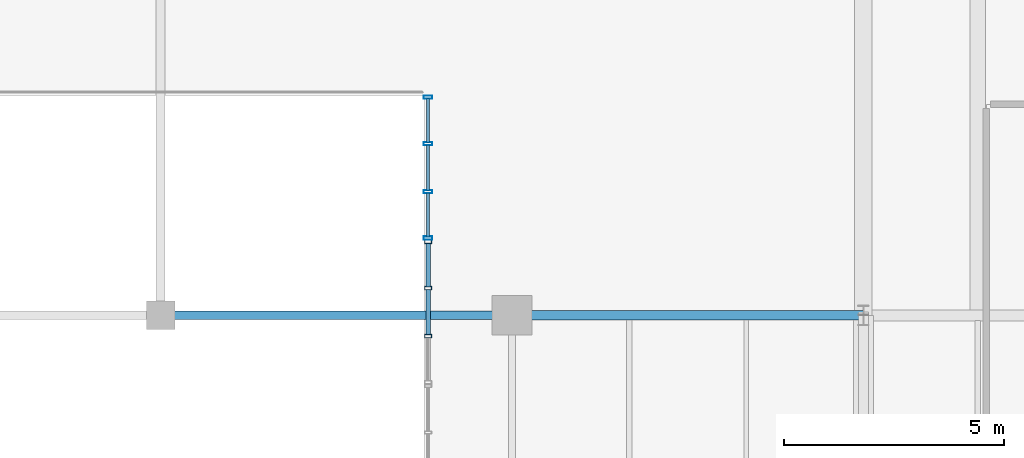
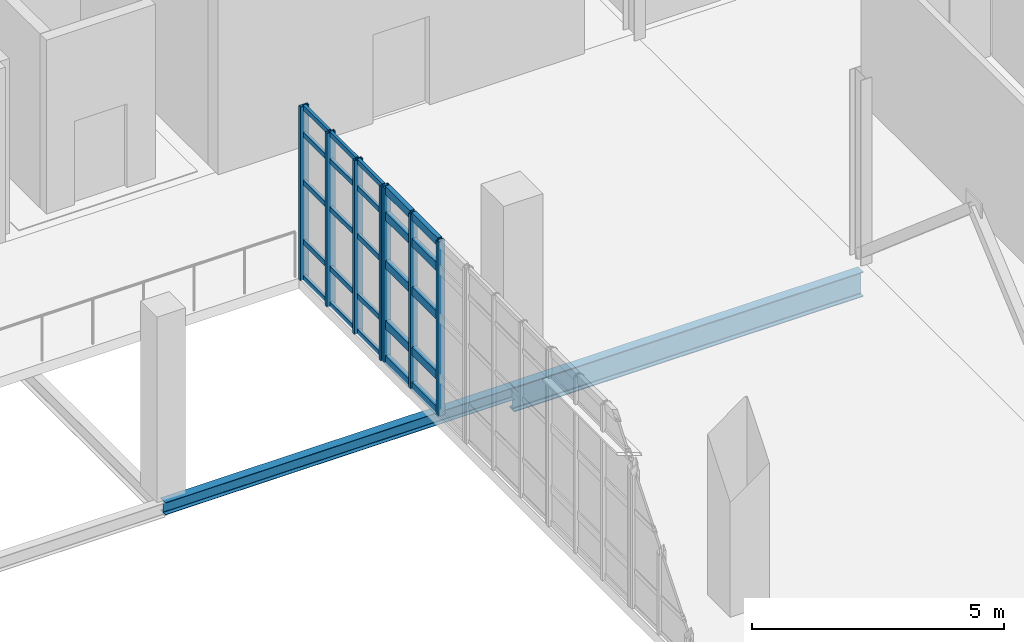
# One storey, part 29 of 85: 32 members, 2 beams, 2 elements without a shape of their own.
"""IFC4 building model written with IfcOpenShell, lengths in metres."""

import ifcopenshell
import ifcopenshell.guid

model = None  # the IFC model being written
_history = None  # IfcOwnerHistory: only IFC2X3 demands one
_inside = {}  # id of a spatial element -> (the spatial element, [elements in it])
_under = {}  # id of a project, library or spatial element -> (it, [spatial elements below it])
_declared = {}  # id of a project -> (the project, [libraries it declares])
_typed = {}  # id of a type object -> (the type object, [elements of that type])
_made_of = {}  # id of a material, layer set ... -> (it, [elements and type objects made of it])


def new_model(schema):
    """Start an empty IFC model of exactly this schema.

    Asked for "IFC4X3", IfcOpenShell would pick the latest addendum, in which some entities
    have other attributes; the version numbers below select the first issue.
    IFC2X3 requires an IfcOwnerHistory on every rooted entity: one is made here for all.
    """
    global model, _history
    if schema == "IFC4X3":
        model = ifcopenshell.file(schema_version=(4, 3, 0, 0))
    else:
        model = ifcopenshell.file(schema=schema)
    _inside.clear()
    _under.clear()
    _declared.clear()
    _typed.clear()
    _made_of.clear()
    _history = None
    if model.schema == "IFC2X3":
        org = make("IfcOrganization", Name="unknown")
        user = make(
            "IfcPersonAndOrganization",
            ThePerson=make("IfcPerson", FamilyName="unknown"),
            TheOrganization=org,
        )
        app = make(
            "IfcApplication",
            ApplicationDeveloper=org,
            Version="unknown",
            ApplicationFullName="unknown",
            ApplicationIdentifier="unknown",
        )
        _history = make(
            "IfcOwnerHistory",
            OwningUser=user,
            OwningApplication=app,
            ChangeAction="ADDED",
            CreationDate=0,
        )
    return model


def make(cls, **values):
    """One entity of the class cls with the attributes given. An attribute that is None is left unset."""
    return model.create_entity(
        cls, **{name: value for name, value in values.items() if value is not None}
    )


def rooted(cls, **values):
    """An entity with a GlobalId (a new one), such as an element, a storey or a relation."""
    return make(cls, GlobalId=ifcopenshell.guid.new(), OwnerHistory=_history, **values)


def si_unit(unit_type, name, prefix=None):
    """IfcSIUnit, for example si_unit("LENGTHUNIT", "METRE", prefix="MILLI")."""
    return make("IfcSIUnit", UnitType=unit_type, Prefix=prefix, Name=name)


def derived_unit(unit_type, elements):
    """IfcDerivedUnit: a product of units, each with its exponent."""
    return make(
        "IfcDerivedUnit",
        Elements=[
            make("IfcDerivedUnitElement", Unit=unit, Exponent=power)
            for unit, power in elements
        ],
        UnitType=unit_type,
    )


def assignment(units):
    """IfcUnitAssignment: the units of a project."""
    return None if units is None else make("IfcUnitAssignment", Units=units)


def point(xyz):
    """IfcCartesianPoint."""
    return None if xyz is None else make("IfcCartesianPoint", Coordinates=xyz)


def direction(xyz):
    """IfcDirection."""
    return None if xyz is None else make("IfcDirection", DirectionRatios=xyz)


def frame(location, z_axis=None, x_axis=None):
    """IfcAxis2Placement3D, a coordinate frame: its origin and axes. An axis left out is left unset."""
    return make(
        "IfcAxis2Placement3D",
        Location=point(location),
        Axis=direction(z_axis),
        RefDirection=direction(x_axis),
    )


def frame_2d(location, x_axis=None):
    """IfcAxis2Placement2D, a coordinate frame in the plane: its origin and x axis."""
    return make(
        "IfcAxis2Placement2D", Location=point(location), RefDirection=direction(x_axis)
    )


def origin():
    """The frame at (0, 0, 0) with its axes left unset."""
    return frame((0.0, 0.0, 0.0))


def origin_2d():
    """The frame at (0, 0) in the plane with its x axis left unset."""
    return frame_2d((0.0, 0.0))


def place(relative_to, where):
    """IfcLocalPlacement: puts the frame where relative to a parent placement (None: the world)."""
    return make(
        "IfcLocalPlacement", PlacementRelTo=relative_to, RelativePlacement=where
    )


def context(
    kind, dimensions, precision=None, world=None, true_north=None, identifier=None
):
    """IfcGeometricRepresentationContext, for example the 3D "Model" context."""
    return make(
        "IfcGeometricRepresentationContext",
        ContextIdentifier=identifier,
        ContextType=kind,
        CoordinateSpaceDimension=dimensions,
        Precision=precision,
        WorldCoordinateSystem=world,
        TrueNorth=true_north,
    )


def subcontext(parent, identifier, kind, view, scale=None):
    """IfcGeometricRepresentationSubContext, for example "Body" below "Model"."""
    return make(
        "IfcGeometricRepresentationSubContext",
        ContextIdentifier=identifier,
        ContextType=kind,
        ParentContext=parent,
        TargetScale=scale,
        TargetView=view,
    )


def project(units=None, contexts=None):
    """IfcProject with its units and contexts."""
    return rooted(
        "IfcProject",
        Name="project",
        RepresentationContexts=contexts,
        UnitsInContext=assignment(units),
    )


def spatial(cls, under=None, at=None, **own):
    """A site, building, storey or space (cls), placed at a placement, below another one or the project."""
    s = rooted(cls, ObjectPlacement=at, **own)
    if under is not None:
        _under.setdefault(under.id(), (under, []))[1].append(s)
    return s


def profile(cls, at=None, kind="AREA", **sizes):
    """A parametric profile (cls). Its sizes go by their IFC names, for example OverallWidth=200.0."""
    return make(cls, ProfileType=kind, Position=at, **sizes)


def hollow_rectangle(**sizes):
    """IfcRectangleHollowProfileDef."""
    return profile("IfcRectangleHollowProfileDef", **sizes)


def i_section(**sizes):
    """IfcIShapeProfileDef."""
    return profile("IfcIShapeProfileDef", **sizes)


def extrude(swept, where, along, depth):
    """IfcExtrudedAreaSolid: the profile swept, set in the frame where, extruded along a direction by depth."""
    return make(
        "IfcExtrudedAreaSolid",
        SweptArea=swept,
        Position=where,
        ExtrudedDirection=direction(along),
        Depth=depth,
    )


def shape(context_of_items, identifier, shape_type, items):
    """IfcShapeRepresentation: the items that make up one representation, for example the "Body"."""
    return make(
        "IfcShapeRepresentation",
        ContextOfItems=context_of_items,
        RepresentationIdentifier=identifier,
        RepresentationType=shape_type,
        Items=items,
    )


def material(Name=None, Category=None):
    """IfcMaterial."""
    return make("IfcMaterial", Name=Name, Category=Category)


def layer(
    of_material, thickness, ventilated=None, Name=None, Category=None, Priority=None
):
    """IfcMaterialLayer: one layer of a wall or slab, of a material (None: an air gap)."""
    return make(
        "IfcMaterialLayer",
        Material=of_material,
        LayerThickness=thickness,
        IsVentilated=ventilated,
        Name=Name,
        Category=Category,
        Priority=Priority,
    )


def layer_set(layers, Name=None):
    """IfcMaterialLayerSet."""
    return make("IfcMaterialLayerSet", MaterialLayers=layers, LayerSetName=Name)


def material_profile(
    of_material, cross_section, Name=None, Category=None, Priority=None
):
    """IfcMaterialProfile: a cross section and its material."""
    return make(
        "IfcMaterialProfile",
        Name=Name,
        Material=of_material,
        Profile=cross_section,
        Priority=Priority,
        Category=Category,
    )


def profile_set(profiles, Name=None, composite=None):
    """IfcMaterialProfileSet."""
    return make(
        "IfcMaterialProfileSet",
        Name=Name,
        MaterialProfiles=profiles,
        CompositeProfile=composite,
    )


def made_of(thing, what):
    """Note that an element or type object is made of a material, layer set ...; save() writes the relation."""
    if what is not None:
        _made_of.setdefault(what.id(), (what, []))[1].append(thing)
    return thing


def type_object(cls, material=None, **own):
    """A type object (cls), such as IfcWallType, which elements share."""
    return made_of(rooted(cls, **own), material)


def element(
    cls,
    number,
    at=None,
    inside=None,
    cuts=None,
    type_object=None,
    material=None,
    context=None,
    identifier="Body",
    shape_type=None,
    held_by="IfcProductDefinitionShape",
    body=None,
    shapes=None,
    **own,
):
    """One element of the class cls, such as IfcWall. Its Tag is "e" and its number.

    at: its placement. inside: the storey or other place that contains it. cuts: it is an
    opening in that element (IfcRelVoidsElement). A single representation is given by context,
    identifier, shape_type and body (its items); several are given by shapes. held_by: the class
    of the entity that holds the representations. save() writes the other relations.
    """
    e = rooted(cls, Tag="e%d" % number, ObjectPlacement=at, **own)
    if body is not None:
        shapes = [shape(context, identifier, shape_type, body)]
    if shapes is not None:
        e.Representation = make(held_by, Representations=shapes)
    if inside is not None:
        _inside.setdefault(inside.id(), (inside, []))[1].append(e)
    if cuts is not None:
        rooted(
            "IfcRelVoidsElement", RelatingBuildingElement=cuts, RelatedOpeningElement=e
        )
    if type_object is not None:
        _typed.setdefault(type_object.id(), (type_object, []))[1].append(e)
    return made_of(e, material)


def aggregate(whole, parts):
    """IfcRelAggregates: a whole, such as a stair, and the parts it consists of."""
    return rooted("IfcRelAggregates", RelatingObject=whole, RelatedObjects=parts)


def save(model, path):
    """Write the relations noted so far, then the file.

    IfcRelAggregates (storeys below a building ...), IfcRelContainedInSpatialStructure (elements
    in a storey), IfcRelDefinesByType, IfcRelAssociatesMaterial and IfcRelDeclares: one each for
    every whole, place, type object, material and project.
    """
    for whole, parts in _under.values():
        aggregate(whole, parts)
    for where, things in _inside.values():
        rooted(
            "IfcRelContainedInSpatialStructure",
            RelatedElements=things,
            RelatingStructure=where,
        )
    for kind, things in _typed.values():
        rooted("IfcRelDefinesByType", RelatedObjects=things, RelatingType=kind)
    for what, things in _made_of.values():
        rooted("IfcRelAssociatesMaterial", RelatedObjects=things, RelatingMaterial=what)
    for by, libraries in _declared.values():
        rooted("IfcRelDeclares", RelatingContext=by, RelatedDefinitions=libraries)
    model.write(path)


model = new_model("IFC4")

# Units and contexts
model_context = context("Model", 3, precision=1e-05, world=origin(), true_north=direction((0.0, 1.0)))
body_context = subcontext(model_context, "Body", "Model", "MODEL_VIEW")
ifc_project = project(units=[si_unit("LENGTHUNIT", "METRE"), si_unit("AREAUNIT", "SQUARE_METRE"), si_unit("VOLUMEUNIT", "CUBIC_METRE"), si_unit("PLANEANGLEUNIT", "RADIAN"), si_unit("MASSUNIT", "GRAM", prefix="KILO"), derived_unit("THERMALTRANSMITTANCEUNIT", [(si_unit("POWERUNIT", "WATT"), 1), (si_unit("LENGTHUNIT", "METRE"), -2), (si_unit("THERMODYNAMICTEMPERATUREUNIT", "KELVIN"), -1)])], contexts=[model_context])

# Site, building, storey
site_placement = place(None, origin())
site = spatial("IfcSite", under=ifc_project, at=site_placement, CompositionType="ELEMENT")
building_placement = place(site_placement, origin())
building = spatial("IfcBuilding", under=site, at=building_placement, Name="Nallur Shell Playhouse", CompositionType="ELEMENT")
storey_placement = place(building_placement, frame((0.0, 0.0, 19.800048828125)))
storey = spatial("IfcBuildingStorey", under=building, at=storey_placement, Name="L05", CompositionType="ELEMENT", Elevation=19.800048828125)

# Beams
ifc_material_1 = material(Name="Steel E350", Category="steel")
ifc_material_profile_1 = material_profile(ifc_material_1, i_section(OverallWidth=0.2099609375, OverallDepth=0.60009765625, WebThickness=0.011962890625, FlangeThickness=0.020751953125, FilletRadius=0.02001953125, at=origin_2d()), Name="ISMB 600")
ifc_profile_set_1 = profile_set([ifc_material_profile_1], Name="Steel E350")
beam_type_1 = type_object("IfcBeamType", Name="BM-ST-ISMB600", PredefinedType="BEAM", material=ifc_profile_set_1)
beam_1_placement = place(storey_placement, frame((56.0, 65.0, -0.550048828125), z_axis=(1.0, 0.0, 0.0), x_axis=(0.0, 1.0, 0.0)))
element("IfcBeam", 1, at=beam_1_placement, inside=storey, type_object=beam_type_1, Name="L05 girder X-H-984", PredefinedType="BEAM", context=body_context, shape_type="SweptSolid", body=[
    extrude(i_section(OverallWidth=0.2099609375, OverallDepth=0.60009765625, WebThickness=0.011962890625, FlangeThickness=0.020751953125, FilletRadius=0.02001953125, at=origin_2d()), origin(), (0.0, 0.0, 1.0), 8.0),
])
ifc_material_2 = material(Name="Steel E250", Category="steel")
ifc_material_profile_2 = material_profile(ifc_material_2, i_section(OverallWidth=0.199951171875, OverallDepth=0.300048828125, WebThickness=0.00732421875, FlangeThickness=0.010009765625, FilletRadius=0.010986328125, at=origin_2d()), Name="ISWB 300")
ifc_profile_set_2 = profile_set([ifc_material_profile_2], Name="Steel E250")
beam_type_2 = type_object("IfcBeamType", Name="BM-ST-ISWB300", PredefinedType="BEAM", material=ifc_profile_set_2)
beam_2_placement = place(storey_placement, frame((48.0, 65.0, -0.400146484375), z_axis=(1.0, 0.0, 0.0), x_axis=(0.0, 1.0, 0.0)))
element("IfcBeam", 2, at=beam_2_placement, inside=storey, type_object=beam_type_2, Name="L05 girder X-H-983", PredefinedType="BEAM", context=body_context, shape_type="SweptSolid", body=[
    extrude(i_section(OverallWidth=0.199951171875, OverallDepth=0.300048828125, WebThickness=0.00732421875, FlangeThickness=0.010009765625, FilletRadius=0.010986328125, at=origin_2d()), origin(), (0.0, 0.0, 1.0), 8.0),
])

# Curtain wall, members
ifc_material_3 = material(Name="Anodised Aluminium Double-Glazed Facade System", Category="aluminium")
ifc_layer_1 = layer(ifc_material_3, 0.176025390625)
ifc_layer_set_1 = layer_set([ifc_layer_1], Name="Anodised Aluminium Double-Glazed Facade System")
curtain_wall_type_1 = type_object("IfcCurtainWallType", Name="CW-UNIT-10", PredefinedType="NOTDEFINED", material=ifc_layer_set_1)
curtain_wall_1_placement = place(storey_placement, origin())
curtain_wall_1 = element("IfcCurtainWall", 3, at=curtain_wall_1_placement, inside=storey, type_object=curtain_wall_type_1, Name="Unitised curtain wall CW-170 (L05)", PredefinedType="NOTDEFINED")
ifc_material_4 = material(Name="Aluminium Alloy 6063-T6 Mullion", Category="aluminium")
ifc_material_profile_3 = material_profile(ifc_material_4, hollow_rectangle(XDim=0.080078125, YDim=0.159912109375, WallThickness=0.006103515625, at=origin_2d()), Name="RHS 160x80x6")
ifc_profile_set_3 = profile_set([ifc_material_profile_3], Name="Aluminium Alloy 6063-T6 Mullion")
member_type_1 = type_object("IfcMemberType", Name="MB-CW-MUL150", PredefinedType="MULLION", material=ifc_profile_set_3)
member_1_placement = place(storey_placement, frame((54.090087890625, 64.525390625, -0.01513671875), z_axis=(0.0, 0.0, 1.0), x_axis=(0.0, 1.0, 0.0)))
member_1 = element("IfcMember", 4, at=member_1_placement, type_object=member_type_1, Name="CW-10 mullion 2", PredefinedType="MULLION", context=body_context, shape_type="SweptSolid", body=[
    extrude(hollow_rectangle(XDim=0.080078125, YDim=0.159912109375, WallThickness=0.006103515625, at=origin_2d()), origin(), (0.0, 0.0, 1.0), 4.22900390625),
])
member_2_placement = place(storey_placement, frame((54.090087890625, 65.617431640625, -0.01513671875), z_axis=(0.0, 0.0, 1.0), x_axis=(0.0, 1.0, 0.0)))
member_2 = element("IfcMember", 5, at=member_2_placement, type_object=member_type_1, Name="CW-10 mullion 3", PredefinedType="MULLION", context=body_context, shape_type="SweptSolid", body=[
    extrude(hollow_rectangle(XDim=0.080078125, YDim=0.159912109375, WallThickness=0.006103515625, at=origin_2d()), origin(), (0.0, 0.0, 1.0), 4.22900390625),
])
member_3_placement = place(storey_placement, frame((54.090087890625, 66.669189453125, -0.01513671875), z_axis=(0.0, 0.0, 1.0), x_axis=(0.0, 1.0, 0.0)))
member_3 = element("IfcMember", 6, at=member_3_placement, type_object=member_type_1, Name="CW-10 mullion 4", PredefinedType="MULLION", context=body_context, shape_type="SweptSolid", body=[
    extrude(hollow_rectangle(XDim=0.080078125, YDim=0.159912109375, WallThickness=0.006103515625, at=origin_2d()), origin(), (0.0, 0.0, 1.0), 4.22900390625),
])

ifc_layer_2 = layer(ifc_material_3, 0.179931640625)
ifc_layer_set_2 = layer_set([ifc_layer_2], Name="Anodised Aluminium Double-Glazed Facade System")
curtain_wall_type_2 = type_object("IfcCurtainWallType", Name="CW-UNIT-11", PredefinedType="NOTDEFINED", material=ifc_layer_set_2)
curtain_wall_2_placement = place(storey_placement, origin())
curtain_wall_2 = element("IfcCurtainWall", 7, at=curtain_wall_2_placement, inside=storey, type_object=curtain_wall_type_2, Name="Unitised curtain wall CW-171 (L05)", PredefinedType="NOTDEFINED")
ifc_material_profile_4 = material_profile(ifc_material_4, hollow_rectangle(XDim=0.074951171875, YDim=0.199951171875, WallThickness=0.0048828125, at=origin_2d()), Name="ALU 75x200x5")
ifc_profile_set_4 = profile_set([ifc_material_profile_4], Name="Aluminium Alloy 6063-T6 Mullion")
member_type_2 = type_object("IfcMemberType", Name="MB-CW-MUL180", PredefinedType="MULLION", material=ifc_profile_set_4)
member_4_placement = place(storey_placement, frame((54.090087890625, 66.7568359375, -0.01513671875), z_axis=(0.0, 0.0, 1.0), x_axis=(0.0, 1.0, 0.0)))
member_4 = element("IfcMember", 8, at=member_4_placement, type_object=member_type_2, Name="CW-11 mullion 1", PredefinedType="MULLION", context=body_context, shape_type="SweptSolid", body=[
    extrude(hollow_rectangle(XDim=0.074951171875, YDim=0.199951171875, WallThickness=0.0048828125, at=origin_2d()), origin(), (0.0, 0.0, 1.0), 4.208984375),
])
member_5_placement = place(storey_placement, frame((54.090087890625, 67.81298828125, -0.01513671875), z_axis=(0.0, 0.0, 1.0), x_axis=(0.0, 1.0, 0.0)))
member_5 = element("IfcMember", 9, at=member_5_placement, type_object=member_type_2, Name="CW-11 mullion 2", PredefinedType="MULLION", context=body_context, shape_type="SweptSolid", body=[
    extrude(hollow_rectangle(XDim=0.074951171875, YDim=0.199951171875, WallThickness=0.0048828125, at=origin_2d()), origin(), (0.0, 0.0, 1.0), 4.208984375),
])
member_6_placement = place(storey_placement, frame((54.090087890625, 68.906494140625, -0.01513671875), z_axis=(0.0, 0.0, 1.0), x_axis=(0.0, 1.0, 0.0)))
member_6 = element("IfcMember", 10, at=member_6_placement, type_object=member_type_2, Name="CW-11 mullion 3", PredefinedType="MULLION", context=body_context, shape_type="SweptSolid", body=[
    extrude(hollow_rectangle(XDim=0.074951171875, YDim=0.199951171875, WallThickness=0.0048828125, at=origin_2d()), origin(), (0.0, 0.0, 1.0), 4.208984375),
])
member_7_placement = place(storey_placement, frame((54.090087890625, 69.96240234375, -0.01513671875), z_axis=(0.0, 0.0, 1.0), x_axis=(0.0, 1.0, 0.0)))
member_7 = element("IfcMember", 11, at=member_7_placement, type_object=member_type_2, Name="CW-11 mullion 4", PredefinedType="MULLION", context=body_context, shape_type="SweptSolid", body=[
    extrude(hollow_rectangle(XDim=0.074951171875, YDim=0.199951171875, WallThickness=0.0048828125, at=origin_2d()), origin(), (0.0, 0.0, 1.0), 4.208984375),
])
ifc_material_5 = material(Name="Aluminium Alloy 6063-T6 Transom", Category="aluminium")
ifc_material_profile_5 = material_profile(ifc_material_5, hollow_rectangle(XDim=0.06494140625, YDim=0.1201171875, WallThickness=0.00390625, at=origin_2d()), Name="ALU 65x120x4")
ifc_profile_set_5 = profile_set([ifc_material_profile_5], Name="Aluminium Alloy 6063-T6 Transom")
member_type_3 = type_object("IfcMemberType", Name="MB-CW-TRN120", PredefinedType="USERDEFINED", material=ifc_profile_set_5)
member_8_placement = place(storey_placement, frame((54.090087890625, 66.786376953125, 0.032470703125), z_axis=(0.0, 1.0, 0.0), x_axis=(-1.0, 0.0, 0.0)))
member_8 = element("IfcMember", 12, at=member_8_placement, type_object=member_type_3, Name="CW-11 transom 1.1", ObjectType="TRANSOM", PredefinedType="USERDEFINED", context=body_context, shape_type="SweptSolid", body=[
    extrude(hollow_rectangle(XDim=0.06494140625, YDim=0.1201171875, WallThickness=0.00390625, at=origin_2d()), origin(), (0.0, 0.0, 1.0), 0.9970703125),
])
member_9_placement = place(storey_placement, frame((54.090087890625, 66.786376953125, 0.89990234375), z_axis=(0.0, 1.0, 0.0), x_axis=(-1.0, 0.0, 0.0)))
member_9 = element("IfcMember", 13, at=member_9_placement, type_object=member_type_3, Name="CW-11 transom 1.2", ObjectType="TRANSOM", PredefinedType="USERDEFINED", context=body_context, shape_type="SweptSolid", body=[
    extrude(hollow_rectangle(XDim=0.06494140625, YDim=0.1201171875, WallThickness=0.00390625, at=origin_2d()), origin(), (0.0, 0.0, 1.0), 0.9970703125),
])
member_10_placement = place(storey_placement, frame((54.090087890625, 66.786376953125, 2.345947265625), z_axis=(0.0, 1.0, 0.0), x_axis=(-1.0, 0.0, 0.0)))
member_10 = element("IfcMember", 14, at=member_10_placement, type_object=member_type_3, Name="CW-11 transom 1.3", ObjectType="TRANSOM", PredefinedType="USERDEFINED", context=body_context, shape_type="SweptSolid", body=[
    extrude(hollow_rectangle(XDim=0.06494140625, YDim=0.1201171875, WallThickness=0.00390625, at=origin_2d()), origin(), (0.0, 0.0, 1.0), 0.9970703125),
])
member_11_placement = place(storey_placement, frame((54.090087890625, 66.786376953125, 3.510009765625), z_axis=(0.0, 1.0, 0.0), x_axis=(-1.0, 0.0, 0.0)))
member_11 = element("IfcMember", 15, at=member_11_placement, type_object=member_type_3, Name="CW-11 transom 1.4", ObjectType="TRANSOM", PredefinedType="USERDEFINED", context=body_context, shape_type="SweptSolid", body=[
    extrude(hollow_rectangle(XDim=0.06494140625, YDim=0.1201171875, WallThickness=0.00390625, at=origin_2d()), origin(), (0.0, 0.0, 1.0), 0.9970703125),
])
member_12_placement = place(storey_placement, frame((54.090087890625, 66.786376953125, 4.157470703125), z_axis=(0.0, 1.0, 0.0), x_axis=(-1.0, 0.0, 0.0)))
member_12 = element("IfcMember", 16, at=member_12_placement, type_object=member_type_3, Name="CW-11 transom 1.5", ObjectType="TRANSOM", PredefinedType="USERDEFINED", context=body_context, shape_type="SweptSolid", body=[
    extrude(hollow_rectangle(XDim=0.06494140625, YDim=0.1201171875, WallThickness=0.00390625, at=origin_2d()), origin(), (0.0, 0.0, 1.0), 0.9970703125),
])
member_13_placement = place(storey_placement, frame((54.090087890625, 67.84228515625, 0.032470703125), z_axis=(0.0, 1.0, 0.0), x_axis=(-1.0, 0.0, 0.0)))
member_13 = element("IfcMember", 17, at=member_13_placement, type_object=member_type_3, Name="CW-11 transom 2.1", ObjectType="TRANSOM", PredefinedType="USERDEFINED", context=body_context, shape_type="SweptSolid", body=[
    extrude(hollow_rectangle(XDim=0.06494140625, YDim=0.1201171875, WallThickness=0.00390625, at=origin_2d()), origin(), (0.0, 0.0, 1.0), 1.03466796875),
])
member_14_placement = place(storey_placement, frame((54.090087890625, 67.84228515625, 0.89990234375), z_axis=(0.0, 1.0, 0.0), x_axis=(-1.0, 0.0, 0.0)))
member_14 = element("IfcMember", 18, at=member_14_placement, type_object=member_type_3, Name="CW-11 transom 2.2", ObjectType="TRANSOM", PredefinedType="USERDEFINED", context=body_context, shape_type="SweptSolid", body=[
    extrude(hollow_rectangle(XDim=0.06494140625, YDim=0.1201171875, WallThickness=0.00390625, at=origin_2d()), origin(), (0.0, 0.0, 1.0), 1.03466796875),
])
member_15_placement = place(storey_placement, frame((54.090087890625, 67.84228515625, 2.345947265625), z_axis=(0.0, 1.0, 0.0), x_axis=(-1.0, 0.0, 0.0)))
member_15 = element("IfcMember", 19, at=member_15_placement, type_object=member_type_3, Name="CW-11 transom 2.3", ObjectType="TRANSOM", PredefinedType="USERDEFINED", context=body_context, shape_type="SweptSolid", body=[
    extrude(hollow_rectangle(XDim=0.06494140625, YDim=0.1201171875, WallThickness=0.00390625, at=origin_2d()), origin(), (0.0, 0.0, 1.0), 1.03466796875),
])
member_16_placement = place(storey_placement, frame((54.090087890625, 67.84228515625, 3.510009765625), z_axis=(0.0, 1.0, 0.0), x_axis=(-1.0, 0.0, 0.0)))
member_16 = element("IfcMember", 20, at=member_16_placement, type_object=member_type_3, Name="CW-11 transom 2.4", ObjectType="TRANSOM", PredefinedType="USERDEFINED", context=body_context, shape_type="SweptSolid", body=[
    extrude(hollow_rectangle(XDim=0.06494140625, YDim=0.1201171875, WallThickness=0.00390625, at=origin_2d()), origin(), (0.0, 0.0, 1.0), 1.03466796875),
])
member_17_placement = place(storey_placement, frame((54.090087890625, 67.84228515625, 4.157470703125), z_axis=(0.0, 1.0, 0.0), x_axis=(-1.0, 0.0, 0.0)))
member_17 = element("IfcMember", 21, at=member_17_placement, type_object=member_type_3, Name="CW-11 transom 2.5", ObjectType="TRANSOM", PredefinedType="USERDEFINED", context=body_context, shape_type="SweptSolid", body=[
    extrude(hollow_rectangle(XDim=0.06494140625, YDim=0.1201171875, WallThickness=0.00390625, at=origin_2d()), origin(), (0.0, 0.0, 1.0), 1.03466796875),
])
member_18_placement = place(storey_placement, frame((54.090087890625, 68.93603515625, 0.032470703125), z_axis=(0.0, 1.0, 0.0), x_axis=(-1.0, 0.0, 0.0)))
member_18 = element("IfcMember", 22, at=member_18_placement, type_object=member_type_3, Name="CW-11 transom 3.1", ObjectType="TRANSOM", PredefinedType="USERDEFINED", context=body_context, shape_type="SweptSolid", body=[
    extrude(hollow_rectangle(XDim=0.06494140625, YDim=0.1201171875, WallThickness=0.00390625, at=origin_2d()), origin(), (0.0, 0.0, 1.0), 0.9970703125),
])
member_19_placement = place(storey_placement, frame((54.090087890625, 68.93603515625, 0.89990234375), z_axis=(0.0, 1.0, 0.0), x_axis=(-1.0, 0.0, 0.0)))
member_19 = element("IfcMember", 23, at=member_19_placement, type_object=member_type_3, Name="CW-11 transom 3.2", ObjectType="TRANSOM", PredefinedType="USERDEFINED", context=body_context, shape_type="SweptSolid", body=[
    extrude(hollow_rectangle(XDim=0.06494140625, YDim=0.1201171875, WallThickness=0.00390625, at=origin_2d()), origin(), (0.0, 0.0, 1.0), 0.9970703125),
])
member_20_placement = place(storey_placement, frame((54.090087890625, 68.93603515625, 2.345947265625), z_axis=(0.0, 1.0, 0.0), x_axis=(-1.0, 0.0, 0.0)))
member_20 = element("IfcMember", 24, at=member_20_placement, type_object=member_type_3, Name="CW-11 transom 3.3", ObjectType="TRANSOM", PredefinedType="USERDEFINED", context=body_context, shape_type="SweptSolid", body=[
    extrude(hollow_rectangle(XDim=0.06494140625, YDim=0.1201171875, WallThickness=0.00390625, at=origin_2d()), origin(), (0.0, 0.0, 1.0), 0.9970703125),
])
member_21_placement = place(storey_placement, frame((54.090087890625, 68.93603515625, 3.510009765625), z_axis=(0.0, 1.0, 0.0), x_axis=(-1.0, 0.0, 0.0)))
member_21 = element("IfcMember", 25, at=member_21_placement, type_object=member_type_3, Name="CW-11 transom 3.4", ObjectType="TRANSOM", PredefinedType="USERDEFINED", context=body_context, shape_type="SweptSolid", body=[
    extrude(hollow_rectangle(XDim=0.06494140625, YDim=0.1201171875, WallThickness=0.00390625, at=origin_2d()), origin(), (0.0, 0.0, 1.0), 0.9970703125),
])
member_22_placement = place(storey_placement, frame((54.090087890625, 68.93603515625, 4.157470703125), z_axis=(0.0, 1.0, 0.0), x_axis=(-1.0, 0.0, 0.0)))
member_22 = element("IfcMember", 26, at=member_22_placement, type_object=member_type_3, Name="CW-11 transom 3.5", ObjectType="TRANSOM", PredefinedType="USERDEFINED", context=body_context, shape_type="SweptSolid", body=[
    extrude(hollow_rectangle(XDim=0.06494140625, YDim=0.1201171875, WallThickness=0.00390625, at=origin_2d()), origin(), (0.0, 0.0, 1.0), 0.9970703125),
])
aggregate(curtain_wall_2, [member_4, member_5, member_6, member_7, member_8, member_9, member_10, member_11, member_12, member_13, member_14, member_15, member_16, member_17, member_18, member_19, member_20, member_21, member_22])

# Member
ifc_material_profile_6 = material_profile(ifc_material_5, hollow_rectangle(XDim=0.10009765625, YDim=0.199951171875, WallThickness=0.008056640625, at=origin_2d()), Name="RHS 200x100x8")
ifc_profile_set_6 = profile_set([ifc_material_profile_6], Name="Aluminium Alloy 6063-T6 Transom")
member_type_4 = type_object("IfcMemberType", Name="MB-CW-TRN140", PredefinedType="USERDEFINED", material=ifc_profile_set_6)
member_23_placement = place(storey_placement, frame((54.090087890625, 64.5576171875, 0.050048828125), z_axis=(0.0, 1.0, 0.0), x_axis=(-1.0, 0.0, 0.0)))
member_23 = element("IfcMember", 27, at=member_23_placement, type_object=member_type_4, Name="CW-10 transom 2.1", ObjectType="TRANSOM", PredefinedType="USERDEFINED", context=body_context, shape_type="SweptSolid", body=[
    extrude(hollow_rectangle(XDim=0.10009765625, YDim=0.199951171875, WallThickness=0.008056640625, at=origin_2d()), origin(), (0.0, 0.0, 1.0), 1.02783203125),
])

member_24_placement = place(storey_placement, frame((54.090087890625, 64.5576171875, 0.89990234375), z_axis=(0.0, 1.0, 0.0), x_axis=(-1.0, 0.0, 0.0)))
member_24 = element("IfcMember", 28, at=member_24_placement, type_object=member_type_4, Name="CW-10 transom 2.2", ObjectType="TRANSOM", PredefinedType="USERDEFINED", context=body_context, shape_type="SweptSolid", body=[
    extrude(hollow_rectangle(XDim=0.10009765625, YDim=0.199951171875, WallThickness=0.008056640625, at=origin_2d()), origin(), (0.0, 0.0, 1.0), 1.02783203125),
])

member_25_placement = place(storey_placement, frame((54.090087890625, 64.5576171875, 2.35791015625), z_axis=(0.0, 1.0, 0.0), x_axis=(-1.0, 0.0, 0.0)))
member_25 = element("IfcMember", 29, at=member_25_placement, type_object=member_type_4, Name="CW-10 transom 2.3", ObjectType="TRANSOM", PredefinedType="USERDEFINED", context=body_context, shape_type="SweptSolid", body=[
    extrude(hollow_rectangle(XDim=0.10009765625, YDim=0.199951171875, WallThickness=0.008056640625, at=origin_2d()), origin(), (0.0, 0.0, 1.0), 1.02783203125),
])

member_26_placement = place(storey_placement, frame((54.090087890625, 64.5576171875, 3.530029296875), z_axis=(0.0, 1.0, 0.0), x_axis=(-1.0, 0.0, 0.0)))
member_26 = element("IfcMember", 30, at=member_26_placement, type_object=member_type_4, Name="CW-10 transom 2.4", ObjectType="TRANSOM", PredefinedType="USERDEFINED", context=body_context, shape_type="SweptSolid", body=[
    extrude(hollow_rectangle(XDim=0.10009765625, YDim=0.199951171875, WallThickness=0.008056640625, at=origin_2d()), origin(), (0.0, 0.0, 1.0), 1.02783203125),
])

member_27_placement = place(storey_placement, frame((54.090087890625, 64.5576171875, 4.159912109375), z_axis=(0.0, 1.0, 0.0), x_axis=(-1.0, 0.0, 0.0)))
member_27 = element("IfcMember", 31, at=member_27_placement, type_object=member_type_4, Name="CW-10 transom 2.5", ObjectType="TRANSOM", PredefinedType="USERDEFINED", context=body_context, shape_type="SweptSolid", body=[
    extrude(hollow_rectangle(XDim=0.10009765625, YDim=0.199951171875, WallThickness=0.008056640625, at=origin_2d()), origin(), (0.0, 0.0, 1.0), 1.02783203125),
])

member_28_placement = place(storey_placement, frame((54.090087890625, 65.6494140625, 0.050048828125), z_axis=(0.0, 1.0, 0.0), x_axis=(-1.0, 0.0, 0.0)))
member_28 = element("IfcMember", 32, at=member_28_placement, type_object=member_type_4, Name="CW-10 transom 3.1", ObjectType="TRANSOM", PredefinedType="USERDEFINED", context=body_context, shape_type="SweptSolid", body=[
    extrude(hollow_rectangle(XDim=0.10009765625, YDim=0.199951171875, WallThickness=0.008056640625, at=origin_2d()), origin(), (0.0, 0.0, 1.0), 0.98779296875),
])

member_29_placement = place(storey_placement, frame((54.090087890625, 65.6494140625, 0.89990234375), z_axis=(0.0, 1.0, 0.0), x_axis=(-1.0, 0.0, 0.0)))
member_29 = element("IfcMember", 33, at=member_29_placement, type_object=member_type_4, Name="CW-10 transom 3.2", ObjectType="TRANSOM", PredefinedType="USERDEFINED", context=body_context, shape_type="SweptSolid", body=[
    extrude(hollow_rectangle(XDim=0.10009765625, YDim=0.199951171875, WallThickness=0.008056640625, at=origin_2d()), origin(), (0.0, 0.0, 1.0), 0.98779296875),
])

member_30_placement = place(storey_placement, frame((54.090087890625, 65.6494140625, 2.35791015625), z_axis=(0.0, 1.0, 0.0), x_axis=(-1.0, 0.0, 0.0)))
member_30 = element("IfcMember", 34, at=member_30_placement, type_object=member_type_4, Name="CW-10 transom 3.3", ObjectType="TRANSOM", PredefinedType="USERDEFINED", context=body_context, shape_type="SweptSolid", body=[
    extrude(hollow_rectangle(XDim=0.10009765625, YDim=0.199951171875, WallThickness=0.008056640625, at=origin_2d()), origin(), (0.0, 0.0, 1.0), 0.98779296875),
])

member_31_placement = place(storey_placement, frame((54.090087890625, 65.6494140625, 3.530029296875), z_axis=(0.0, 1.0, 0.0), x_axis=(-1.0, 0.0, 0.0)))
member_31 = element("IfcMember", 35, at=member_31_placement, type_object=member_type_4, Name="CW-10 transom 3.4", ObjectType="TRANSOM", PredefinedType="USERDEFINED", context=body_context, shape_type="SweptSolid", body=[
    extrude(hollow_rectangle(XDim=0.10009765625, YDim=0.199951171875, WallThickness=0.008056640625, at=origin_2d()), origin(), (0.0, 0.0, 1.0), 0.98779296875),
])

member_32_placement = place(storey_placement, frame((54.090087890625, 65.6494140625, 4.159912109375), z_axis=(0.0, 1.0, 0.0), x_axis=(-1.0, 0.0, 0.0)))
member_32 = element("IfcMember", 36, at=member_32_placement, type_object=member_type_4, Name="CW-10 transom 3.5", ObjectType="TRANSOM", PredefinedType="USERDEFINED", context=body_context, shape_type="SweptSolid", body=[
    extrude(hollow_rectangle(XDim=0.10009765625, YDim=0.199951171875, WallThickness=0.008056640625, at=origin_2d()), origin(), (0.0, 0.0, 1.0), 0.98779296875),
])

aggregate(curtain_wall_1, [member_1, member_2, member_3, member_23, member_24, member_25, member_26, member_27, member_28, member_29, member_30, member_31, member_32])

save(model, "model.ifc")
